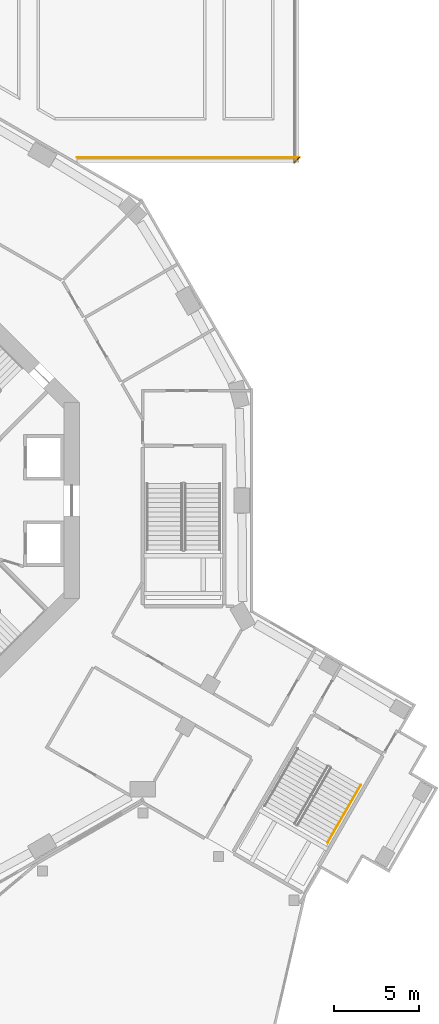
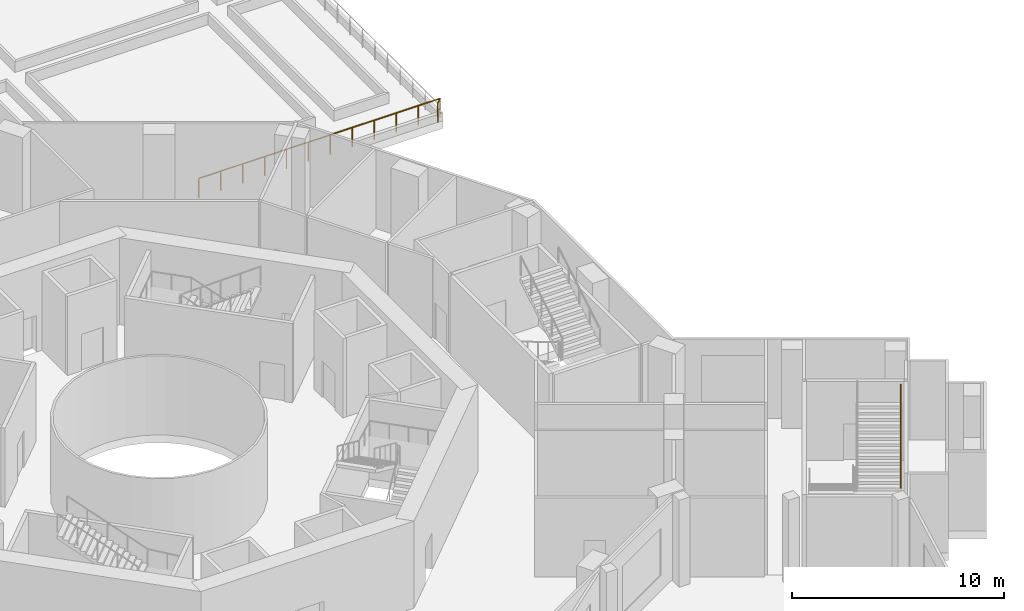
# One storey, part 22 of 24: 3 railings.
"""IFC4 building model written with IfcOpenShell, lengths in metres."""

from ifc_helpers import new_model, si_unit, direction, frame, origin, origin_2d, place, context, subcontext, project, spatial, circle, extrude, material, type_object, element, save


model = new_model("IFC4")

# Units and contexts
model_context = context("Model", 3, precision=1e-05, world=origin(), true_north=direction((0.0, 1.0)))
body_context = subcontext(model_context, "Body", "Model", "MODEL_VIEW")
ifc_project = project(units=[si_unit("LENGTHUNIT", "METRE"), si_unit("AREAUNIT", "SQUARE_METRE"), si_unit("VOLUMEUNIT", "CUBIC_METRE"), si_unit("PLANEANGLEUNIT", "RADIAN"), si_unit("MASSUNIT", "GRAM", prefix="KILO")], contexts=[model_context])

# Site, building, storey
site_placement = place(None, origin())
site = spatial("IfcSite", under=ifc_project, at=site_placement, CompositionType="ELEMENT")
building_placement = place(site_placement, origin())
building = spatial("IfcBuilding", under=site, at=building_placement, Name="Verdalira Terraces Hotel", CompositionType="ELEMENT")
storey_placement = place(building_placement, frame((0.0, 0.0, 14.0)))
storey = spatial("IfcBuildingStorey", under=building, at=storey_placement, Name="L02", CompositionType="ELEMENT", Elevation=14.0)

# Railings
ifc_material_1 = material(Name="Stainless steel", Category="steel")
railing_type_1 = type_object("IfcRailingType", Name="Stair handrail 900", PredefinedType="HANDRAIL", material=ifc_material_1)
railing_1_placement = place(storey_placement, frame((28.682617, -20.220215, 2.666748)))
element("IfcRailing", 1, at=railing_1_placement, inside=storey, type_object=railing_type_1, Name="L02 PS3 stair handrail 2", PredefinedType="HANDRAIL", context=body_context, shape_type="SweptSolid", body=[
    extrude(circle(Radius=0.023926, at=origin_2d()), frame((0.0, 0.0, 0.875977), z_axis=(0.429646478, 0.744174673, 0.511476256), x_axis=(-0.8660269, 0.499997408, 0.0)), (0.0, 0.0, 1.0), 4.561768),
    extrude(circle(Radius=0.020996, at=origin_2d()), origin(), (0.0, 0.0, 1.0), 0.851807),
    extrude(circle(Radius=0.020996, at=origin_2d()), frame((0.48999, 0.848633, 0.583252)), (0.0, 0.0, 1.0), 0.851807),
    extrude(circle(Radius=0.020996, at=origin_2d()), frame((0.97998, 1.697266, 1.166504)), (0.0, 0.0, 1.0), 0.851807),
    extrude(circle(Radius=0.020996, at=origin_2d()), frame((1.469971, 2.546143, 1.75)), (0.0, 0.0, 1.0), 0.851807),
    extrude(circle(Radius=0.020996, at=origin_2d()), frame((1.959961, 3.394775, 2.333252)), (0.0, 0.0, 1.0), 0.851807),
])
ifc_material_2 = material(Name="Clear laminated glass", Category="glass")
railing_type_2 = type_object("IfcRailingType", Name="Terrace glass guard 1120", PredefinedType="GUARDRAIL", material=ifc_material_2)
railing_2_placement = place(storey_placement, frame((13.875488, 20.280029, 0.0)))
element("IfcRailing", 2, at=railing_2_placement, inside=storey, type_object=railing_type_2, Name="Terrace guard", PredefinedType="GUARDRAIL", context=body_context, shape_type="SweptSolid", body=[
    extrude(circle(Radius=0.023926, at=origin_2d()), frame((0.0, 0.0, 1.096191), z_axis=(1.0, 0.0, 0.0), x_axis=(0.0, 1.0, 0.0)), (0.0, 0.0, 1.0), 13.124512),
    extrude(circle(Radius=0.020996, at=origin_2d()), origin(), (0.0, 0.0, 1.0), 1.072021),
    extrude(circle(Radius=0.020996, at=origin_2d()), frame((1.193115, 0.0, 0.0)), (0.0, 0.0, 1.0), 1.072021),
    extrude(circle(Radius=0.020996, at=origin_2d()), frame((2.38623, 0.0, 0.0)), (0.0, 0.0, 1.0), 1.072021),
    extrude(circle(Radius=0.020996, at=origin_2d()), frame((3.579346, 0.0, 0.0)), (0.0, 0.0, 1.0), 1.072021),
    extrude(circle(Radius=0.020996, at=origin_2d()), frame((4.772461, 0.0, 0.0)), (0.0, 0.0, 1.0), 1.072021),
    extrude(circle(Radius=0.020996, at=origin_2d()), frame((5.965576, 0.0, 0.0)), (0.0, 0.0, 1.0), 1.072021),
    extrude(circle(Radius=0.020996, at=origin_2d()), frame((7.158936, 0.0, 0.0)), (0.0, 0.0, 1.0), 1.072021),
    extrude(circle(Radius=0.020996, at=origin_2d()), frame((8.352051, 0.0, 0.0)), (0.0, 0.0, 1.0), 1.072021),
    extrude(circle(Radius=0.020996, at=origin_2d()), frame((9.545166, 0.0, 0.0)), (0.0, 0.0, 1.0), 1.072021),
    extrude(circle(Radius=0.020996, at=origin_2d()), frame((10.738281, 0.0, 0.0)), (0.0, 0.0, 1.0), 1.072021),
    extrude(circle(Radius=0.020996, at=origin_2d()), frame((11.931396, 0.0, 0.0)), (0.0, 0.0, 1.0), 1.072021),
    extrude(circle(Radius=0.020996, at=origin_2d()), frame((13.124512, 0.0, 0.0)), (0.0, 0.0, 1.0), 1.072021),
])
railing_3_placement = place(storey_placement, frame((27.0, 20.280029, 0.0)))
element("IfcRailing", 3, at=railing_3_placement, inside=storey, type_object=railing_type_2, Name="Terrace guard", PredefinedType="GUARDRAIL", context=body_context, shape_type="SweptSolid", body=[
    extrude(circle(Radius=0.023926, at=origin_2d()), frame((0.0, 0.0, 1.096191), z_axis=(-0.707106781, -0.707106781, 0.0), x_axis=(0.707106781, -0.707106781, 0.0)), (0.0, 0.0, 1.0), 0.395996),
    extrude(circle(Radius=0.020996, at=origin_2d()), origin(), (0.0, 0.0, 1.0), 1.072021),
    extrude(circle(Radius=0.020996, at=origin_2d()), frame((-0.280029, -0.280029, 0.0)), (0.0, 0.0, 1.0), 1.072021),
])

save(model, "model.ifc")
